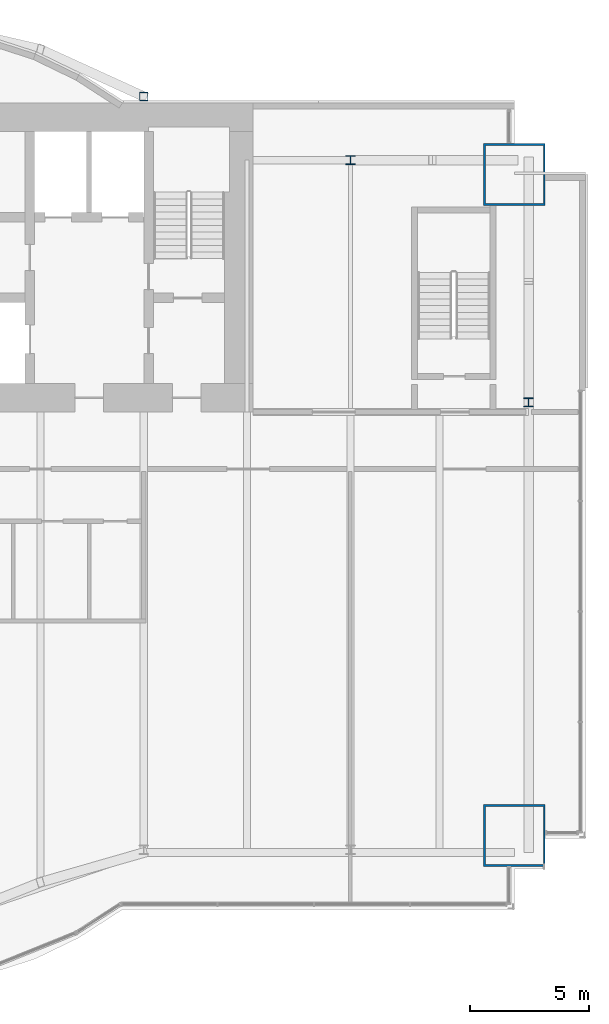
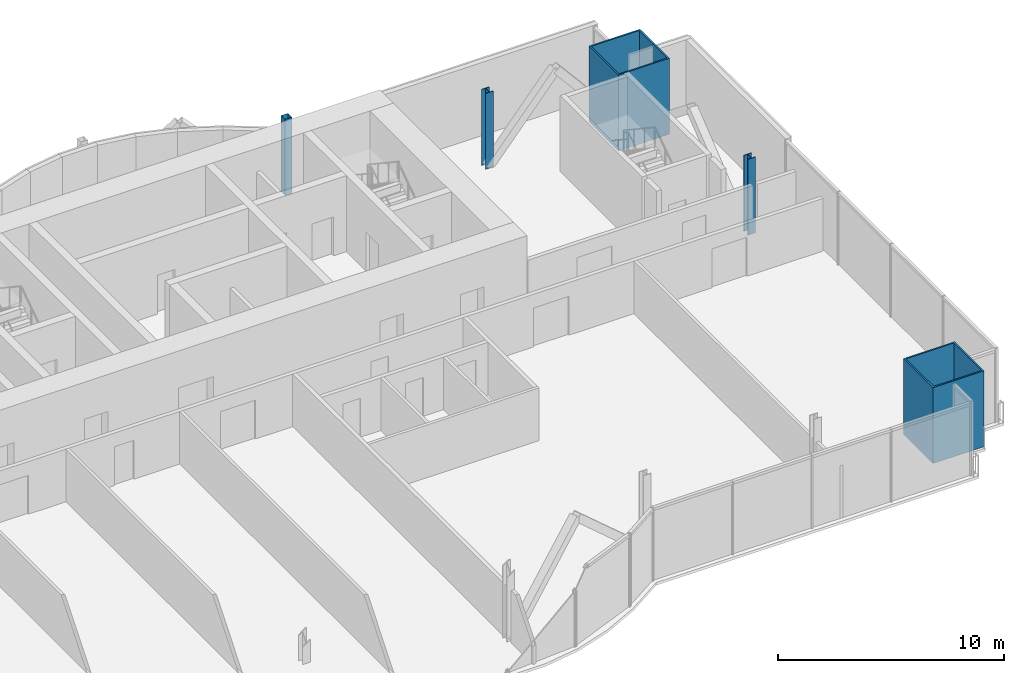
# One storey, part 4 of 20: 5 columns.
"""IFC4 building model written with IfcOpenShell, lengths in metres."""

from ifc_helpers import new_model, si_unit, direction, frame, origin, origin_2d, place, context, subcontext, project, spatial, hollow_rectangle, i_section, extrude, material, material_profile, profile_set, type_object, element, save


model = new_model("IFC4")

# Units and contexts
model_context = context("Model", 3, precision=1e-05, world=origin(), true_north=direction((0.0, 1.0)))
body_context = subcontext(model_context, "Body", "Model", "MODEL_VIEW")
ifc_project = project(units=[si_unit("LENGTHUNIT", "METRE"), si_unit("AREAUNIT", "SQUARE_METRE"), si_unit("VOLUMEUNIT", "CUBIC_METRE"), si_unit("PLANEANGLEUNIT", "RADIAN"), si_unit("MASSUNIT", "GRAM", prefix="KILO")], contexts=[model_context])

# Site, building, storey
site_placement = place(None, origin())
site = spatial("IfcSite", under=ifc_project, at=site_placement, CompositionType="ELEMENT")
building_placement = place(site_placement, origin())
building = spatial("IfcBuilding", under=site, at=building_placement, Name="Bicima Exchange Tower", CompositionType="ELEMENT")
storey_placement = place(building_placement, frame((0.0, 0.0, 177.300048828125)))
storey = spatial("IfcBuildingStorey", under=building, at=storey_placement, Name="L39", CompositionType="ELEMENT", Elevation=177.300048828125)

# Columns
ifc_material_1 = material(Name="Steel ASTM A572 Gr 50", Category="steel")
ifc_material_profile_1 = material_profile(ifc_material_1, hollow_rectangle(XDim=2.60009765625, YDim=2.60009765625, WallThickness=0.080078125, at=origin_2d()))
ifc_profile_set_1 = profile_set([ifc_material_profile_1], Name="Steel ASTM A572 Gr 50")
column_type_1 = type_object("IfcColumnType", Name="Mega column BOX 2600x2600x80", PredefinedType="COLUMN", material=ifc_profile_set_1)
for number, where, z_axis, x_axis, name in (
    (1, (33.0, -30.825927734375, 0.0), (0.0, 0.0, 1.0), (1.0, 0.0, 0.0), "Mega column mega+33.0f"),
    (2, (33.0, -3.0, 0.0), (0.0, 0.0, 1.0), (1.0, 0.0, 0.0), "Mega column mega+33.0r"),
):
    element("IfcColumn", number, at=place(storey_placement, frame(where, z_axis=z_axis, x_axis=x_axis)), inside=storey, type_object=column_type_1, Name=name, PredefinedType="COLUMN", context=body_context, shape_type="SweptSolid", body=[
        extrude(hollow_rectangle(XDim=2.60009765625, YDim=2.60009765625, WallThickness=0.080078125, at=origin_2d()), origin(), (0.0, 0.0, 1.0), 4.099853515625),
    ])
ifc_material_2 = material(Name="Steel ASTM A992 Gr 50", Category="steel")
ifc_material_profile_2 = material_profile(ifc_material_2, i_section(OverallWidth=0.396240234375, OverallDepth=0.381103515625, WebThickness=0.01904296875, FlangeThickness=0.0302734375, at=origin_2d()))
ifc_profile_set_2 = profile_set([ifc_material_profile_2], Name="Steel ASTM A992 Gr 50")
column_type_2 = type_object("IfcColumnType", Name="Perimeter column W14x159", PredefinedType="COLUMN", material=ifc_profile_set_2)
for number, where, z_axis, x_axis, name in (
    (3, (26.10009765625, -2.39990234375, 0.0), (0.0, 0.0, 1.0), (1.0, 0.0, 0.0), "Perimeter column grav+26.1r"),
    (4, (33.60009765625, -12.60009765625, 0.0), (0.0, 0.0, 1.0), (1.0, 0.0, 0.0), "End column end+33.6e"),
):
    element("IfcColumn", number, at=place(storey_placement, frame(where, z_axis=z_axis, x_axis=x_axis)), inside=storey, type_object=column_type_2, Name=name, PredefinedType="COLUMN", context=body_context, shape_type="SweptSolid", body=[
        extrude(i_section(OverallWidth=0.396240234375, OverallDepth=0.381103515625, WebThickness=0.01904296875, FlangeThickness=0.0302734375, at=origin_2d()), origin(), (0.0, 0.0, 1.0), 4.099853515625),
    ])
ifc_material_profile_3 = material_profile(ifc_material_1, hollow_rectangle(XDim=0.355712890625, YDim=0.355712890625, WallThickness=0.01171875, at=origin_2d()))
ifc_profile_set_3 = profile_set([ifc_material_profile_3], Name="Steel ASTM A572 Gr 50")
column_type_3 = type_object("IfcColumnType", Name="Rear pilaster HSS14x14x1/2", PredefinedType="COLUMN", material=ifc_profile_set_3)
column_placement = place(storey_placement, frame((17.39990234375, 0.278076171875, 0.0), z_axis=(0.0, 0.0, 1.0), x_axis=(1.0, 0.0, 0.0)))
element("IfcColumn", 5, at=column_placement, inside=storey, type_object=column_type_3, Name="Rear pilaster rexo+17.4r", PredefinedType="COLUMN", context=body_context, shape_type="SweptSolid", body=[
    extrude(hollow_rectangle(XDim=0.355712890625, YDim=0.355712890625, WallThickness=0.01171875, at=origin_2d()), origin(), (0.0, 0.0, 1.0), 4.099853515625),
])

save(model, "model.ifc")
